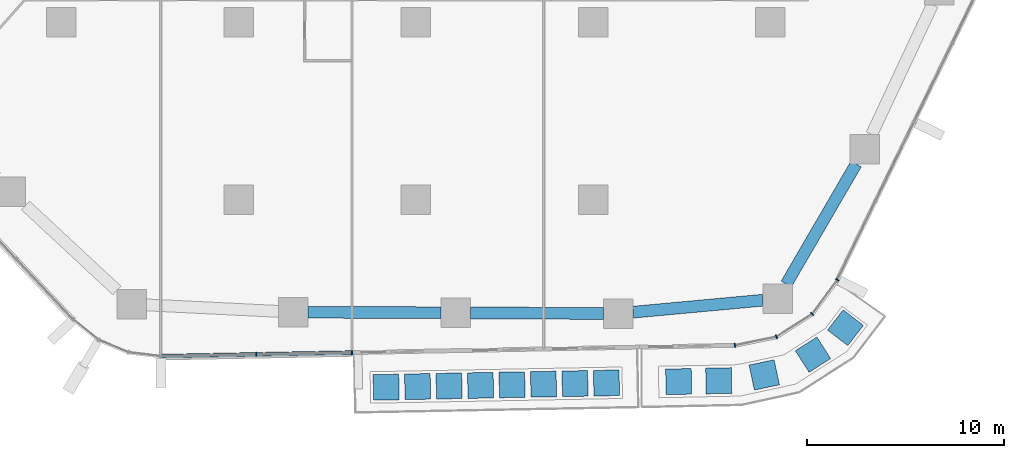
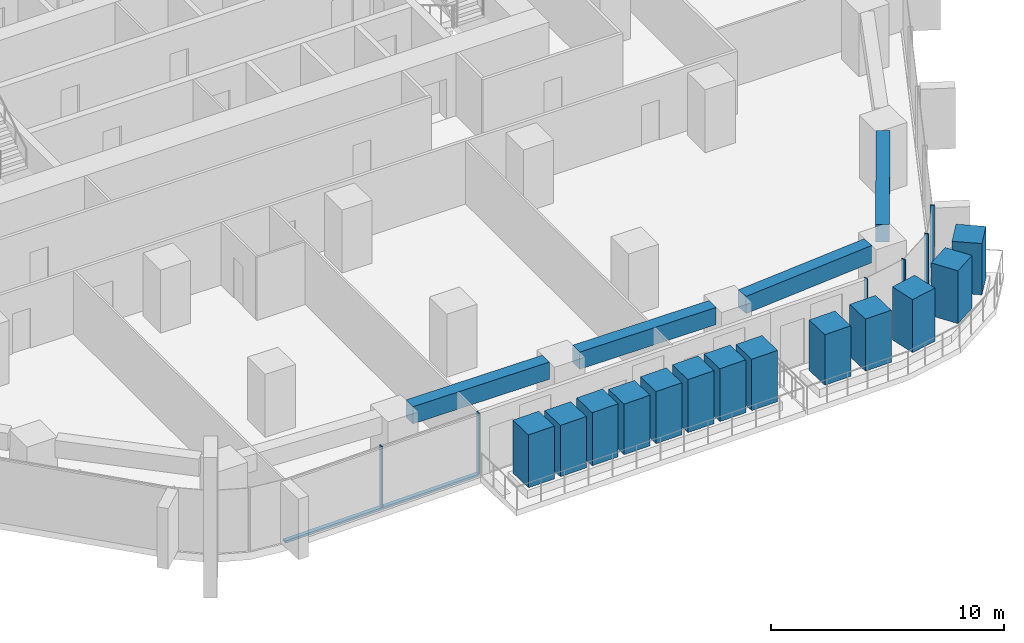
# One storey, part 4 of 25: 20 members, 4 beams, 2 elements without a shape of their own.
"""IFC4 building model written with IfcOpenShell, lengths in metres."""

from ifc_helpers import new_model, si_unit, direction, frame, origin, origin_2d, place, context, subcontext, project, spatial, rectangle, extrude, material, layer, layer_set, material_profile, profile_set, type_object, element, aggregate, save


model = new_model("IFC4")

# Units and contexts
model_context = context("Model", 3, precision=1e-05, world=origin(), true_north=direction((0.0, 1.0)))
body_context = subcontext(model_context, "Body", "Model", "MODEL_VIEW")
ifc_project = project(units=[si_unit("LENGTHUNIT", "METRE"), si_unit("AREAUNIT", "SQUARE_METRE"), si_unit("VOLUMEUNIT", "CUBIC_METRE"), si_unit("PLANEANGLEUNIT", "RADIAN"), si_unit("MASSUNIT", "GRAM", prefix="KILO")], contexts=[model_context])

# Site, building, storey
site_placement = place(None, origin())
site = spatial("IfcSite", under=ifc_project, at=site_placement, CompositionType="ELEMENT")
building_placement = place(site_placement, origin())
building = spatial("IfcBuilding", under=site, at=building_placement, Name="Dongbaek Canopy Tower", CompositionType="ELEMENT")
storey_placement = place(building_placement, frame((0.0, 0.0, 77.300048828125)))
storey = spatial("IfcBuildingStorey", under=building, at=storey_placement, Name="L15", CompositionType="ELEMENT", Elevation=77.300048828125)

# Curtain wall, members
ifc_material_1 = material(Name="Aluminium 6063-T6 pale anodised", Category="aluminium")
ifc_layer = layer(ifc_material_1, 0.199951171875)
ifc_layer_set = layer_set([ifc_layer], Name="CW-1 unitised tower curtain wall")
curtain_wall_type = type_object("IfcCurtainWallType", Name="CW-1 unitised tower curtain wall", PredefinedType="NOTDEFINED", material=ifc_layer_set)
curtain_wall_1_placement = place(storey_placement, origin())
curtain_wall_1 = element("IfcCurtainWall", 1, at=curtain_wall_1_placement, inside=storey, type_object=curtain_wall_type, Name="CW-1 curtain wall F4.1", PredefinedType="NOTDEFINED")
ifc_material_2 = material(Name="Aluminium 6063-T6 pale anodised", Category="aluminium")
ifc_material_profile_1 = material_profile(ifc_material_2, rectangle(XDim=0.199951171875, YDim=0.06005859375, at=origin_2d()), Name="CW-1 mullion 60 x 200")
ifc_profile_set_1 = profile_set([ifc_material_profile_1], Name="Aluminium 6063-T6 pale anodised")
member_type_1 = type_object("IfcMemberType", Name="CW-1 mullion 60 x 200", PredefinedType="MULLION", material=ifc_profile_set_1)
member_1_placement = place(storey_placement, frame((-8.10791015625, -34.86376953125, 0.119873046875), z_axis=(0.0, 0.0, 1.0), x_axis=(0.018951731053, -0.999820399817, 0.0)))
member_1 = element("IfcMember", 2, at=member_1_placement, type_object=member_type_1, Name="CW-1 mullion F4.1.2", PredefinedType="MULLION", context=body_context, shape_type="SweptSolid", body=[
    extrude(rectangle(XDim=0.199951171875, YDim=0.06005859375, at=origin_2d()), origin(), (0.0, 0.0, 1.0), 3.18017578125),
])
member_2_placement = place(storey_placement, frame((-3.2451171875, -34.771484375, 0.119873046875), z_axis=(0.0, 0.0, 1.0), x_axis=(0.018951731053, -0.999820399817, 0.0)))
member_2 = element("IfcMember", 3, at=member_2_placement, type_object=member_type_1, Name="CW-1 mullion F4.1.3", PredefinedType="MULLION", context=body_context, shape_type="SweptSolid", body=[
    extrude(rectangle(XDim=0.199951171875, YDim=0.06005859375, at=origin_2d()), origin(), (0.0, 0.0, 1.0), 3.18017578125),
])

curtain_wall_2_placement = place(storey_placement, origin())
curtain_wall_2 = element("IfcCurtainWall", 4, at=curtain_wall_2_placement, inside=storey, type_object=curtain_wall_type, Name="CW-1 curtain wall K5.1", PredefinedType="NOTDEFINED")
member_3_placement = place(storey_placement, frame((16.196044921875, -34.403076171875, 0.0), z_axis=(0.0, 0.0, 1.0), x_axis=(0.200703548559, -0.979652022708, 0.0)))
member_3 = element("IfcMember", 5, at=member_3_placement, type_object=member_type_1, Name="CW-1 mullion K5.1.1", PredefinedType="MULLION", context=body_context, shape_type="SweptSolid", body=[
    extrude(rectangle(XDim=0.199951171875, YDim=0.06005859375, at=origin_2d()), origin(), (0.0, 0.0, 1.0), 3.300048828125),
])
member_4_placement = place(storey_placement, frame((18.309814453125, -33.969970703125, 0.0), z_axis=(0.0, 0.0, 1.0), x_axis=(0.375743741739, -0.926723605259, 0.0)))
member_4 = element("IfcMember", 6, at=member_4_placement, type_object=member_type_1, Name="CW-1 mullion K5.1.2", PredefinedType="MULLION", context=body_context, shape_type="SweptSolid", body=[
    extrude(rectangle(XDim=0.199951171875, YDim=0.06005859375, at=origin_2d()), origin(), (0.0, 0.0, 1.0), 3.300048828125),
])
member_5_placement = place(storey_placement, frame((20.120361328125, -32.813720703125, 0.0), z_axis=(0.0, 0.0, 1.0), x_axis=(0.682695719698, -0.730702781099, 0.0)))
member_5 = element("IfcMember", 7, at=member_5_placement, type_object=member_type_1, Name="CW-1 mullion K5.1.3", PredefinedType="MULLION", context=body_context, shape_type="SweptSolid", body=[
    extrude(rectangle(XDim=0.199951171875, YDim=0.06005859375, at=origin_2d()), origin(), (0.0, 0.0, 1.0), 3.300048828125),
])
member_6_placement = place(storey_placement, frame((21.402099609375, -31.078369140625, 0.0), z_axis=(0.0, 0.0, 1.0), x_axis=(0.804342880955, -0.594165406142, 0.0)))
member_6 = element("IfcMember", 8, at=member_6_placement, type_object=member_type_1, Name="CW-1 mullion K5.1.4", PredefinedType="MULLION", context=body_context, shape_type="SweptSolid", body=[
    extrude(rectangle(XDim=0.199951171875, YDim=0.06005859375, at=origin_2d()), origin(), (0.0, 0.0, 1.0), 3.300048828125),
])
aggregate(curtain_wall_2, [member_3, member_4, member_5, member_6])

# Member
ifc_material_3 = material(Name="Aluminium 6063-T6 pale anodised", Category="aluminium")
ifc_material_profile_2 = material_profile(ifc_material_3, rectangle(XDim=0.199951171875, YDim=0.1201171875, at=origin_2d()), Name="CW-1 transom 120 x 200")
ifc_profile_set_2 = profile_set([ifc_material_profile_2], Name="Aluminium 6063-T6 pale anodised")
member_type_2 = type_object("IfcMemberType", Name="CW-1 transom 120 x 200", PredefinedType="USERDEFINED", material=ifc_profile_set_2)
member_7_placement = place(storey_placement, frame((-12.963623046875, -34.955810546875, 0.06005859375), z_axis=(0.999820184196, 0.018963102948, 0.0), x_axis=(-0.018963102948, 0.999820184196, 0.0)))
member_7 = element("IfcMember", 9, at=member_7_placement, type_object=member_type_2, Name="CW-1 transom F4.1.1", ObjectType="TRANSOM", PredefinedType="USERDEFINED", context=body_context, shape_type="SweptSolid", body=[
    extrude(rectangle(XDim=0.199951171875, YDim=0.1201171875, at=origin_2d()), origin(), (0.0, 0.0, 1.0), 9.72021484375),
])

aggregate(curtain_wall_1, [member_1, member_2, member_7])

# Beams
ifc_material_4 = material(Name="Concrete C80", Category="concrete")
ifc_material_profile_3 = material_profile(ifc_material_4, rectangle(XDim=0.60009765625, YDim=0.89990234375, at=origin_2d()), Name="RC EDGE BEAM 600x900 C80")
ifc_profile_set_3 = profile_set([ifc_material_profile_3], Name="Concrete C80")
beam_type = type_object("IfcBeamType", Name="RC EDGE BEAM 600x900 C80", PredefinedType="BEAM", material=ifc_profile_set_3)
beam_1_placement = place(storey_placement, frame((17.617919921875, -32.1123046875, 2.849853515625), z_axis=(-0.995766471257, -0.091919174929, 0.0), x_axis=(0.091919174929, -0.995766471257, 0.0)))
element("IfcBeam", 10, at=beam_1_placement, inside=storey, type_object=beam_type, Name="EDGEBEAM:L15:00", PredefinedType="BEAM", context=body_context, shape_type="SweptSolid", body=[
    extrude(rectangle(XDim=0.60009765625, YDim=0.89990234375, at=origin_2d()), origin(), (0.0, 0.0, 1.0), 6.618896484375),
])
beam_2_placement = place(storey_placement, frame((9.527099609375, -32.78662109375, 2.849853515625), z_axis=(-0.999989942747, 0.004484908597, 0.0), x_axis=(-0.004484908597, -0.999989942747, 0.0)))
element("IfcBeam", 11, at=beam_2_placement, inside=storey, type_object=beam_type, Name="EDGEBEAM:L15:01", PredefinedType="BEAM", context=body_context, shape_type="SweptSolid", body=[
    extrude(rectangle(XDim=0.60009765625, YDim=0.89990234375, at=origin_2d()), origin(), (0.0, 0.0, 1.0), 6.75),
])
beam_3_placement = place(storey_placement, frame((1.277099609375, -32.749755859375, 2.849853515625), z_axis=(-0.999990420723, 0.004377038088, 0.0), x_axis=(-0.004377038088, -0.999990420723, 0.0)))
element("IfcBeam", 12, at=beam_3_placement, inside=storey, type_object=beam_type, Name="EDGEBEAM:L15:02", PredefinedType="BEAM", context=body_context, shape_type="SweptSolid", body=[
    extrude(rectangle(XDim=0.60009765625, YDim=0.89990234375, at=origin_2d()), origin(), (0.0, 0.0, 1.0), 6.7490234375),
])
beam_4_placement = place(storey_placement, frame((22.35546875, -25.193115234375, 2.849853515625), z_axis=(-0.503081510817, -0.864238967806, 0.0), x_axis=(0.864238967806, -0.503081510817, 0.0)))
element("IfcBeam", 13, at=beam_4_placement, inside=storey, type_object=beam_type, Name="EDGEBEAM:L15:25", PredefinedType="BEAM", context=body_context, shape_type="SweptSolid", body=[
    extrude(rectangle(XDim=0.60009765625, YDim=0.89990234375, at=origin_2d()), origin(), (0.0, 0.0, 1.0), 7.05810546875),
])

# Members
ifc_material_5 = material(Name="Concrete C40/50 planter mass with planting", Category="concrete")
ifc_material_profile_4 = material_profile(ifc_material_5, rectangle(XDim=1.300048828125, YDim=1.300048828125, at=origin_2d()), Name="Terrace PLANTER shrub mass 1300 x 1300")
ifc_profile_set_4 = profile_set([ifc_material_profile_4], Name="Concrete C40/50 planter mass with planting")
member_type_3 = type_object("IfcMemberType", Name="Terrace PLANTER shrub mass 1300 x 1300", PredefinedType="USERDEFINED", material=ifc_profile_set_4)
member_8_placement = place(storey_placement, frame((-1.51220703125, -36.529052734375, 0.419921875), z_axis=(0.0, 0.0, 1.0), x_axis=(0.018951731053, -0.999820399817, 0.0)))
element("IfcMember", 14, at=member_8_placement, inside=storey, type_object=member_type_3, Name="Planter shrubs L15 4.1", ObjectType="PLANTER", PredefinedType="USERDEFINED", context=body_context, shape_type="SweptSolid", body=[
    extrude(rectangle(XDim=1.300048828125, YDim=1.300048828125, at=origin_2d()), origin(), (0.0, 0.0, 1.0), 2.77001953125),
])
member_9_placement = place(storey_placement, frame((0.08642578125, -36.498779296875, 0.419921875), z_axis=(0.0, 0.0, 1.0), x_axis=(0.018951731053, -0.999820399817, 0.0)))
element("IfcMember", 15, at=member_9_placement, inside=storey, type_object=member_type_3, Name="Planter shrubs L15 4.2", ObjectType="PLANTER", PredefinedType="USERDEFINED", context=body_context, shape_type="SweptSolid", body=[
    extrude(rectangle(XDim=1.300048828125, YDim=1.300048828125, at=origin_2d()), origin(), (0.0, 0.0, 1.0), 2.68994140625),
])
member_10_placement = place(storey_placement, frame((1.684814453125, -36.46826171875, 0.419921875), z_axis=(0.0, 0.0, 1.0), x_axis=(0.018951731053, -0.999820399817, 0.0)))
element("IfcMember", 16, at=member_10_placement, inside=storey, type_object=member_type_3, Name="Planter shrubs L15 4.3", ObjectType="PLANTER", PredefinedType="USERDEFINED", context=body_context, shape_type="SweptSolid", body=[
    extrude(rectangle(XDim=1.300048828125, YDim=1.300048828125, at=origin_2d()), origin(), (0.0, 0.0, 1.0), 2.780029296875),
])
member_11_placement = place(storey_placement, frame((3.283447265625, -36.43798828125, 0.419921875), z_axis=(0.0, 0.0, 1.0), x_axis=(0.018951731053, -0.999820399817, 0.0)))
element("IfcMember", 17, at=member_11_placement, inside=storey, type_object=member_type_3, Name="Planter shrubs L15 4.4", ObjectType="PLANTER", PredefinedType="USERDEFINED", context=body_context, shape_type="SweptSolid", body=[
    extrude(rectangle(XDim=1.300048828125, YDim=1.300048828125, at=origin_2d()), origin(), (0.0, 0.0, 1.0), 2.650146484375),
])
member_12_placement = place(storey_placement, frame((4.8818359375, -36.40771484375, 0.419921875), z_axis=(0.0, 0.0, 1.0), x_axis=(0.018951731053, -0.999820399817, 0.0)))
element("IfcMember", 18, at=member_12_placement, inside=storey, type_object=member_type_3, Name="Planter shrubs L15 4.5", ObjectType="PLANTER", PredefinedType="USERDEFINED", context=body_context, shape_type="SweptSolid", body=[
    extrude(rectangle(XDim=1.300048828125, YDim=1.300048828125, at=origin_2d()), origin(), (0.0, 0.0, 1.0), 2.72998046875),
])
member_13_placement = place(storey_placement, frame((6.48046875, -36.37744140625, 0.419921875), z_axis=(0.0, 0.0, 1.0), x_axis=(0.018951731053, -0.999820399817, 0.0)))
element("IfcMember", 19, at=member_13_placement, inside=storey, type_object=member_type_3, Name="Planter shrubs L15 4.6", ObjectType="PLANTER", PredefinedType="USERDEFINED", context=body_context, shape_type="SweptSolid", body=[
    extrude(rectangle(XDim=1.300048828125, YDim=1.300048828125, at=origin_2d()), origin(), (0.0, 0.0, 1.0), 2.780029296875),
])
member_14_placement = place(storey_placement, frame((8.0791015625, -36.34716796875, 0.419921875), z_axis=(0.0, 0.0, 1.0), x_axis=(0.018951731053, -0.999820399817, 0.0)))
element("IfcMember", 20, at=member_14_placement, inside=storey, type_object=member_type_3, Name="Planter shrubs L15 4.7", ObjectType="PLANTER", PredefinedType="USERDEFINED", context=body_context, shape_type="SweptSolid", body=[
    extrude(rectangle(XDim=1.300048828125, YDim=1.300048828125, at=origin_2d()), origin(), (0.0, 0.0, 1.0), 2.77001953125),
])
member_15_placement = place(storey_placement, frame((9.677490234375, -36.31689453125, 0.419921875), z_axis=(0.0, 0.0, 1.0), x_axis=(0.018951731053, -0.999820399817, 0.0)))
element("IfcMember", 21, at=member_15_placement, inside=storey, type_object=member_type_3, Name="Planter shrubs L15 4.8", ObjectType="PLANTER", PredefinedType="USERDEFINED", context=body_context, shape_type="SweptSolid", body=[
    extrude(rectangle(XDim=1.300048828125, YDim=1.300048828125, at=origin_2d()), origin(), (0.0, 0.0, 1.0), 2.68994140625),
])
member_16_placement = place(storey_placement, frame((13.34326171875, -36.24560546875, 0.419921875), z_axis=(0.0, 0.0, 1.0), x_axis=(0.020691571655, -0.999785906513, 0.0)))
element("IfcMember", 22, at=member_16_placement, inside=storey, type_object=member_type_3, Name="Planter shrubs L15 7.1", ObjectType="PLANTER", PredefinedType="USERDEFINED", context=body_context, shape_type="SweptSolid", body=[
    extrude(rectangle(XDim=1.300048828125, YDim=1.300048828125, at=origin_2d()), origin(), (0.0, 0.0, 1.0), 2.650146484375),
])
member_17_placement = place(storey_placement, frame((15.376708984375, -36.20361328125, 0.419921875), z_axis=(0.0, 0.0, 1.0), x_axis=(0.020691571655, -0.999785906513, 0.0)))
element("IfcMember", 23, at=member_17_placement, inside=storey, type_object=member_type_3, Name="Planter shrubs L15 7.2", ObjectType="PLANTER", PredefinedType="USERDEFINED", context=body_context, shape_type="SweptSolid", body=[
    extrude(rectangle(XDim=1.300048828125, YDim=1.300048828125, at=origin_2d()), origin(), (0.0, 0.0, 1.0), 2.72998046875),
])
member_18_placement = place(storey_placement, frame((17.688232421875, -35.906494140625, 0.419921875), z_axis=(0.0, 0.0, 1.0), x_axis=(0.2085334094, -0.97801524383, 0.0)))
element("IfcMember", 24, at=member_18_placement, inside=storey, type_object=member_type_3, Name="Planter shrubs L15 7.3", ObjectType="PLANTER", PredefinedType="USERDEFINED", context=body_context, shape_type="SweptSolid", body=[
    extrude(rectangle(XDim=1.300048828125, YDim=1.300048828125, at=origin_2d()), origin(), (0.0, 0.0, 1.0), 2.780029296875),
])
member_19_placement = place(storey_placement, frame((20.163330078125, -34.876708984375, 0.419921875), z_axis=(0.0, 0.0, 1.0), x_axis=(0.538218881372, -0.842805099495, 0.0)))
element("IfcMember", 25, at=member_19_placement, inside=storey, type_object=member_type_3, Name="Planter shrubs L15 7.4", ObjectType="PLANTER", PredefinedType="USERDEFINED", context=body_context, shape_type="SweptSolid", body=[
    extrude(rectangle(XDim=1.300048828125, YDim=1.300048828125, at=origin_2d()), origin(), (0.0, 0.0, 1.0), 2.77001953125),
])
member_20_placement = place(storey_placement, frame((21.813232421875, -33.5107421875, 0.419921875), z_axis=(0.0, 0.0, 1.0), x_axis=(0.793328583904, -0.608793690802, 0.0)))
element("IfcMember", 26, at=member_20_placement, inside=storey, type_object=member_type_3, Name="Planter shrubs L15 7.5", ObjectType="PLANTER", PredefinedType="USERDEFINED", context=body_context, shape_type="SweptSolid", body=[
    extrude(rectangle(XDim=1.300048828125, YDim=1.300048828125, at=origin_2d()), origin(), (0.0, 0.0, 1.0), 2.68994140625),
])

save(model, "model.ifc")
